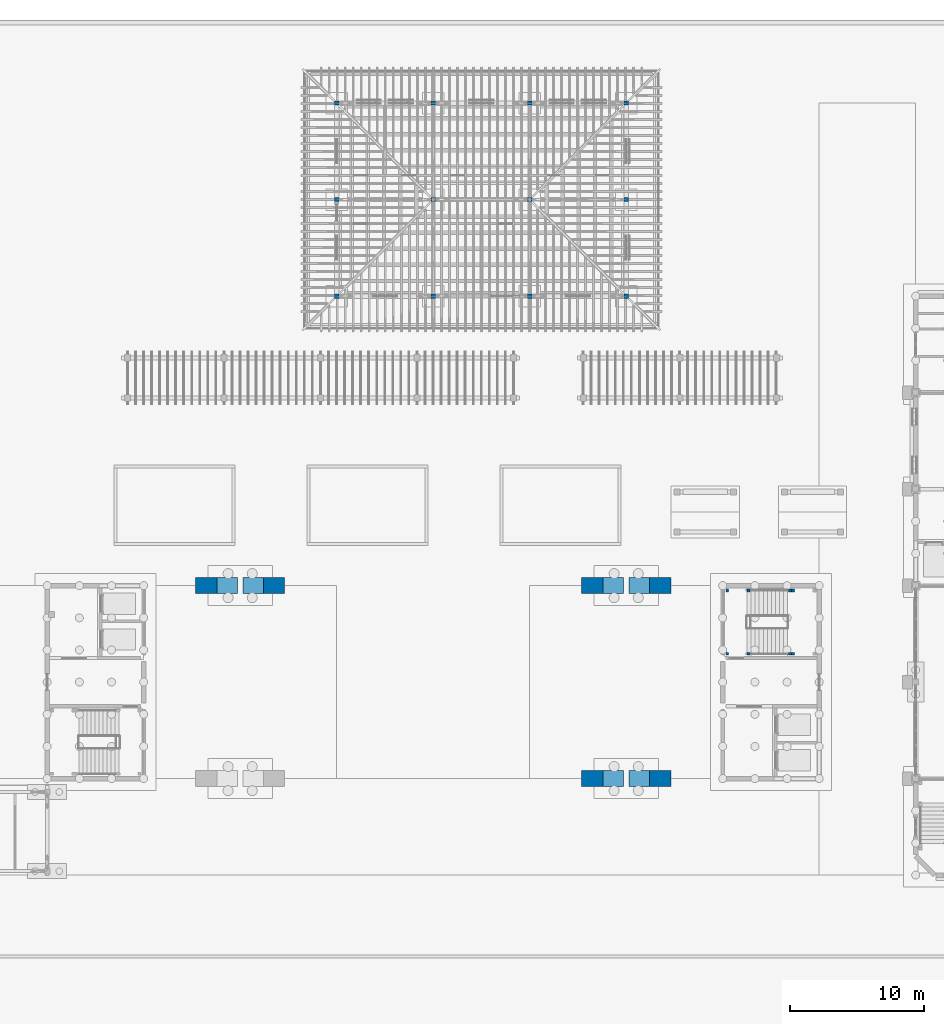
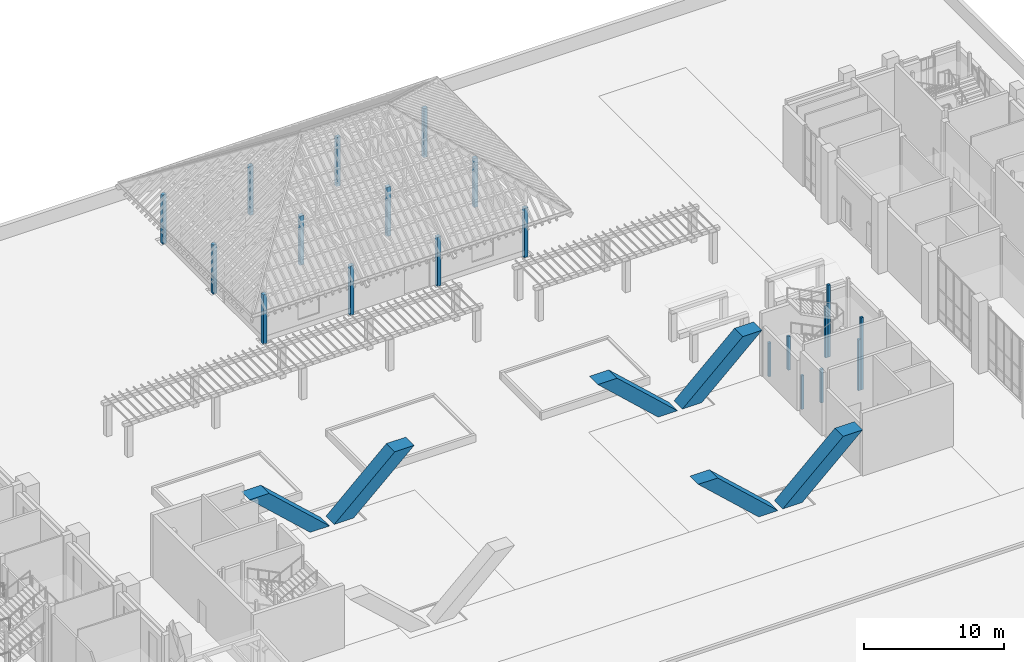
# One storey, part 6 of 84: 26 columns.
"""IFC4 building model written with IfcOpenShell, lengths in metres."""

from ifc_helpers import new_model, si_unit, direction, frame, origin, origin_2d, place, context, subcontext, project, spatial, rectangle, extrude, material, material_profile, profile_set, type_object, element, save


model = new_model("IFC4")

# Units and contexts
model_context = context("Model", 3, precision=1e-05, world=origin(), true_north=direction((0.0, 1.0)))
body_context = subcontext(model_context, "Body", "Model", "MODEL_VIEW")
ifc_project = project(units=[si_unit("LENGTHUNIT", "METRE"), si_unit("AREAUNIT", "SQUARE_METRE"), si_unit("VOLUMEUNIT", "CUBIC_METRE"), si_unit("PLANEANGLEUNIT", "RADIAN"), si_unit("MASSUNIT", "GRAM", prefix="KILO")], contexts=[model_context])

# Site, building, storey
site_placement = place(None, origin())
site = spatial("IfcSite", under=ifc_project, at=site_placement, CompositionType="ELEMENT")
building_placement = place(site_placement, origin())
building = spatial("IfcBuilding", under=site, at=building_placement, Name="Mazhai Court Health Centre", CompositionType="ELEMENT")
storey_placement = place(building_placement, origin())
storey = spatial("IfcBuildingStorey", under=building, at=storey_placement, Name="L00", CompositionType="ELEMENT", Elevation=0.0)

# Columns
ifc_material_1 = material(Name="Glulam GL28h", Category="wood")
ifc_material_profile_1 = material_profile(ifc_material_1, rectangle(XDim=0.320068359375, YDim=0.320068359375, at=origin_2d()), Name="GL28h 320x320")
ifc_profile_set_1 = profile_set([ifc_material_profile_1], Name="Glulam GL28h")
column_type_1 = type_object("IfcColumnType", Name="GL28h 320x320 column", PredefinedType="COLUMN", material=ifc_profile_set_1)
for number, where, z_axis, x_axis, name in (
    (1, (92.60009765625, 49.39990234375, -0.199951171875), (0.0, 0.0, 1.0), (1.0, 0.0, 0.0), "col-V3-L00-00"),
    (2, (92.60009765625, 56.60009765625, -0.199951171875), (0.0, 0.0, 1.0), (1.0, 0.0, 0.0), "col-V3-L00-01"),
    (3, (92.60009765625, 63.800048828125, -0.199951171875), (0.0, 0.0, 1.0), (1.0, 0.0, 0.0), "col-V3-L00-02"),
    (4, (99.800048828125, 49.39990234375, -0.199951171875), (0.0, 0.0, 1.0), (1.0, 0.0, 0.0), "col-V3-L00-10"),
    (5, (99.800048828125, 56.60009765625, -0.199951171875), (0.0, 0.0, 1.0), (1.0, 0.0, 0.0), "col-V3-L00-11"),
    (6, (99.800048828125, 63.800048828125, -0.199951171875), (0.0, 0.0, 1.0), (1.0, 0.0, 0.0), "col-V3-L00-12"),
    (7, (107.0, 49.39990234375, -0.199951171875), (0.0, 0.0, 1.0), (1.0, 0.0, 0.0), "col-V3-L00-20"),
    (8, (107.0, 56.60009765625, -0.199951171875), (0.0, 0.0, 1.0), (1.0, 0.0, 0.0), "col-V3-L00-21"),
    (9, (107.0, 63.800048828125, -0.199951171875), (0.0, 0.0, 1.0), (1.0, 0.0, 0.0), "col-V3-L00-22"),
    (10, (114.199951171875, 49.39990234375, -0.199951171875), (0.0, 0.0, 1.0), (1.0, 0.0, 0.0), "col-V3-L00-30"),
    (11, (114.199951171875, 56.60009765625, -0.199951171875), (0.0, 0.0, 1.0), (1.0, 0.0, 0.0), "col-V3-L00-31"),
    (12, (114.199951171875, 63.800048828125, -0.199951171875), (0.0, 0.0, 1.0), (1.0, 0.0, 0.0), "col-V3-L00-32"),
):
    element("IfcColumn", number, at=place(storey_placement, frame(where, z_axis=z_axis, x_axis=x_axis)), inside=storey, type_object=column_type_1, Name=name, PredefinedType="COLUMN", context=body_context, shape_type="SweptSolid", body=[
        extrude(rectangle(XDim=0.320068359375, YDim=0.320068359375, at=origin_2d()), origin(), (0.0, 0.0, 1.0), 4.300048828125),
    ])
ifc_material_2 = material(Name="Concrete M40", Category="concrete")
ifc_material_profile_2 = material_profile(ifc_material_2, rectangle(XDim=0.199951171875, YDim=0.199951171875, at=origin_2d()), Name="RC 200x200")
ifc_profile_set_2 = profile_set([ifc_material_profile_2], Name="Concrete M40")
column_type_2 = type_object("IfcColumnType", Name="RC STAIR LANDING POST 200 M40", PredefinedType="COLUMN", material=ifc_profile_set_2)
for number, where, z_axis, x_axis, name in (
    (13, (126.419921875, 22.719970703125, 0.0), (0.0, 0.0, 1.0), (1.0, 0.0, 0.0), "post-ST7-01"),
    (14, (126.419921875, 27.43994140625, 0.0), (0.0, 0.0, 1.0), (1.0, 0.0, 0.0), "post-ST7-02"),
):
    element("IfcColumn", number, at=place(storey_placement, frame(where, z_axis=z_axis, x_axis=x_axis)), inside=storey, type_object=column_type_2, Name=name, PredefinedType="COLUMN", context=body_context, shape_type="SweptSolid", body=[
        extrude(rectangle(XDim=0.199951171875, YDim=0.199951171875, at=origin_2d()), origin(), (0.0, 0.0, 1.0), 4.449951171875),
    ])
for number, where, z_axis, x_axis, name in (
    (15, (121.72998046875, 22.719970703125, 0.0), (0.0, 0.0, 1.0), (1.0, 0.0, 0.0), "post-ST7-11"),
    (16, (121.72998046875, 27.43994140625, 0.0), (0.0, 0.0, 1.0), (1.0, 0.0, 0.0), "post-ST7-12"),
    (17, (123.330078125, 22.719970703125, 0.0), (0.0, 0.0, 1.0), (1.0, 0.0, 0.0), "post-ST7-13"),
    (18, (123.330078125, 27.43994140625, 0.0), (0.0, 0.0, 1.0), (1.0, 0.0, 0.0), "post-ST7-14"),
):
    element("IfcColumn", number, at=place(storey_placement, frame(where, z_axis=z_axis, x_axis=x_axis)), inside=storey, type_object=column_type_2, Name=name, PredefinedType="COLUMN", context=body_context, shape_type="SweptSolid", body=[
        extrude(rectangle(XDim=0.199951171875, YDim=0.199951171875, at=origin_2d()), origin(), (0.0, 0.0, 1.0), 2.949951171875),
    ])
for number, where, z_axis, x_axis, name in (
    (19, (126.639892578125, 22.719970703125, 0.0), (0.0, 0.0, 1.0), (1.0, 0.0, 0.0), "post-ST7-15"),
    (20, (126.639892578125, 27.43994140625, 0.0), (0.0, 0.0, 1.0), (1.0, 0.0, 0.0), "post-ST7-19"),
):
    element("IfcColumn", number, at=place(storey_placement, frame(where, z_axis=z_axis, x_axis=x_axis)), inside=storey, type_object=column_type_2, Name=name, PredefinedType="COLUMN", context=body_context, shape_type="SweptSolid", body=[
        extrude(rectangle(XDim=0.199951171875, YDim=0.199951171875, at=origin_2d()), origin(), (0.0, 0.0, 1.0), 6.300048828125),
    ])
ifc_material_3 = material(Name="Concrete M40", Category="concrete")
ifc_material_profile_3 = material_profile(ifc_material_3, rectangle(XDim=1.60009765625, YDim=1.199951171875, at=origin_2d()), Name="RC 1600x1200")
ifc_profile_set_3 = profile_set([ifc_material_profile_3], Name="Concrete M40")
column_type_3 = type_object("IfcColumnType", Name="RC V LEG 1600x1200 M40", PredefinedType="COLUMN", material=ifc_profile_set_3)
column_1_placement = place(storey_placement, frame((84.39990234375, 27.800048828125, -0.199951171875), z_axis=(0.0, 0.0, 1.0), x_axis=(1.0, 0.0, 0.0)))
element("IfcColumn", 21, at=column_1_placement, inside=storey, type_object=column_type_3, Name="col-LEG-WN-a", PredefinedType="COLUMN", context=body_context, shape_type="SweptSolid", body=[
    extrude(rectangle(XDim=1.60009765625, YDim=1.199951171875, at=origin_2d()), origin(), (-0.735941754699, 0.0, 0.677044853529), 6.7939453125),
])
column_2_placement = place(storey_placement, frame((86.39990234375, 27.800048828125, -0.199951171875), z_axis=(0.0, 0.0, 1.0), x_axis=(1.0, 0.0, 0.0)))
element("IfcColumn", 22, at=column_2_placement, inside=storey, type_object=column_type_3, Name="col-LEG-WN-b", PredefinedType="COLUMN", context=body_context, shape_type="SweptSolid", body=[
    extrude(rectangle(XDim=1.60009765625, YDim=1.199951171875, at=origin_2d()), origin(), (0.735941754699, 0.0, 0.677044853529), 6.7939453125),
])
column_3_placement = place(storey_placement, frame((113.199951171875, 13.39990234375, -0.199951171875), z_axis=(0.0, 0.0, 1.0), x_axis=(1.0, 0.0, 0.0)))
element("IfcColumn", 23, at=column_3_placement, inside=storey, type_object=column_type_3, Name="col-LEG-ES-a", PredefinedType="COLUMN", context=body_context, shape_type="SweptSolid", body=[
    extrude(rectangle(XDim=1.60009765625, YDim=1.199951171875, at=origin_2d()), origin(), (-0.735941754699, 0.0, 0.677044853529), 6.7939453125),
])
column_4_placement = place(storey_placement, frame((115.199951171875, 13.39990234375, -0.199951171875), z_axis=(0.0, 0.0, 1.0), x_axis=(1.0, 0.0, 0.0)))
element("IfcColumn", 24, at=column_4_placement, inside=storey, type_object=column_type_3, Name="col-LEG-ES-b", PredefinedType="COLUMN", context=body_context, shape_type="SweptSolid", body=[
    extrude(rectangle(XDim=1.60009765625, YDim=1.199951171875, at=origin_2d()), origin(), (0.735941754699, 0.0, 0.677044853529), 6.7939453125),
])
column_5_placement = place(storey_placement, frame((113.199951171875, 27.800048828125, -0.199951171875), z_axis=(0.0, 0.0, 1.0), x_axis=(1.0, 0.0, 0.0)))
element("IfcColumn", 25, at=column_5_placement, inside=storey, type_object=column_type_3, Name="col-LEG-EN-a", PredefinedType="COLUMN", context=body_context, shape_type="SweptSolid", body=[
    extrude(rectangle(XDim=1.60009765625, YDim=1.199951171875, at=origin_2d()), origin(), (-0.735941754699, 0.0, 0.677044853529), 6.7939453125),
])
column_6_placement = place(storey_placement, frame((115.199951171875, 27.800048828125, -0.199951171875), z_axis=(0.0, 0.0, 1.0), x_axis=(1.0, 0.0, 0.0)))
element("IfcColumn", 26, at=column_6_placement, inside=storey, type_object=column_type_3, Name="col-LEG-EN-b", PredefinedType="COLUMN", context=body_context, shape_type="SweptSolid", body=[
    extrude(rectangle(XDim=1.60009765625, YDim=1.199951171875, at=origin_2d()), origin(), (0.735941754699, 0.0, 0.677044853529), 6.7939453125),
])

save(model, "model.ifc")
